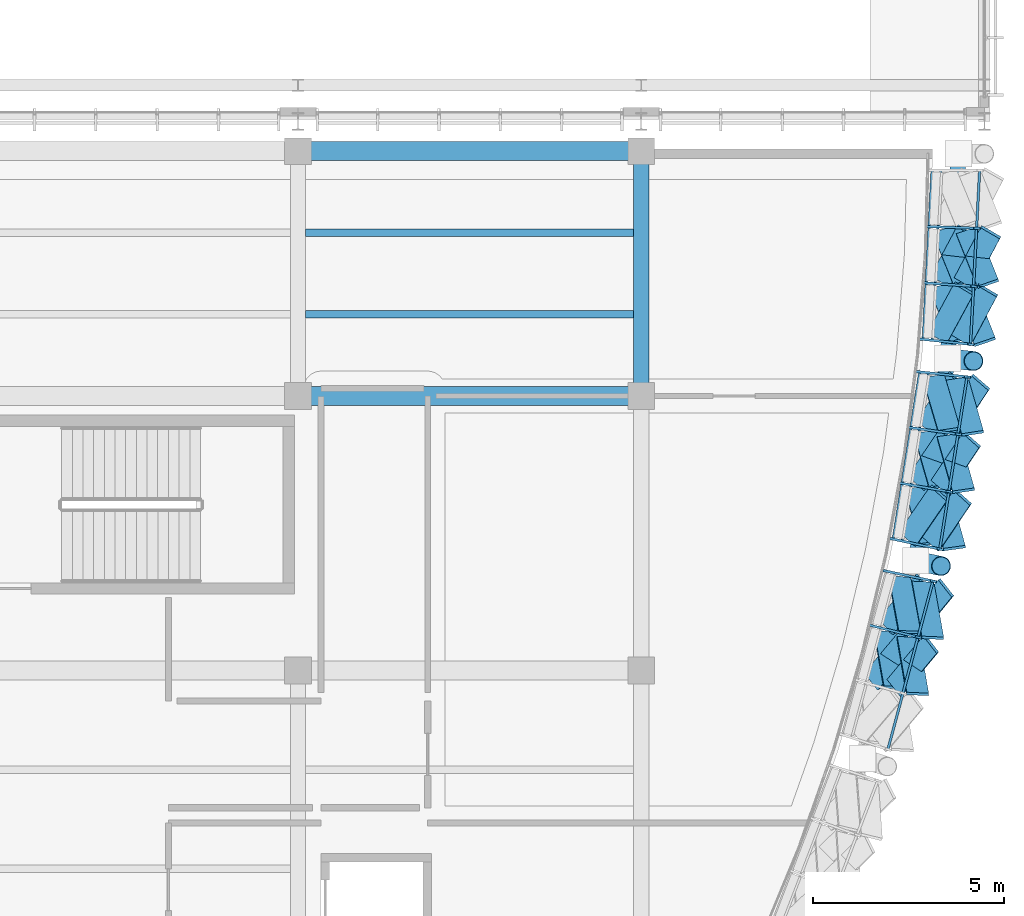
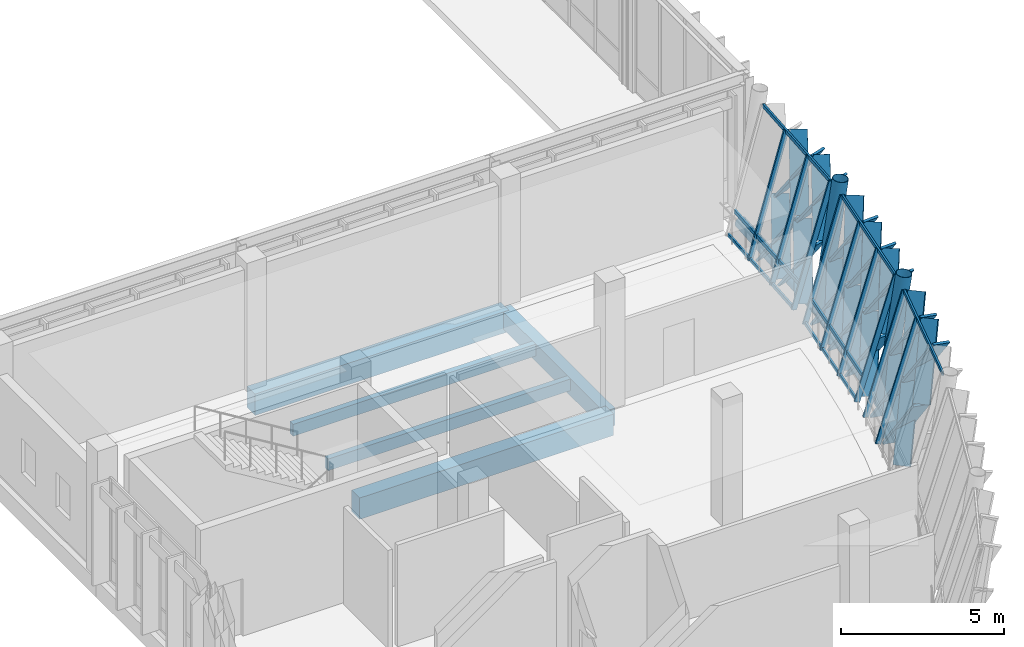
# One storey, part 98 of 177: 46 members, 7 beams, 3 elements without a shape of their own.
"""IFC4 building model written with IfcOpenShell, lengths in metres."""

from ifc_helpers import new_model, si_unit, direction, frame, origin, origin_2d, place, context, subcontext, project, spatial, rectangle, hollow_rectangle, hollow_circle, extrude, material, material_profile, profile_set, type_object, element, aggregate, save


model = new_model("IFC4")

# Units and contexts
model_context = context("Model", 3, precision=1e-05, world=origin(), true_north=direction((0.0, 1.0)))
body_context = subcontext(model_context, "Body", "Model", "MODEL_VIEW")
ifc_project = project(units=[si_unit("LENGTHUNIT", "METRE"), si_unit("AREAUNIT", "SQUARE_METRE"), si_unit("VOLUMEUNIT", "CUBIC_METRE"), si_unit("PLANEANGLEUNIT", "RADIAN"), si_unit("MASSUNIT", "GRAM", prefix="KILO")], contexts=[model_context])

# Site, building, storey
site_placement = place(None, origin())
site = spatial("IfcSite", under=ifc_project, at=site_placement, CompositionType="ELEMENT")
building_placement = place(site_placement, origin())
building = spatial("IfcBuilding", under=site, at=building_placement, Name="Chiffa Square Polytechnic", CompositionType="ELEMENT")
storey_placement = place(building_placement, frame((0.0, 0.0, 4.800048828125)))
storey = spatial("IfcBuildingStorey", under=building, at=storey_placement, Name="L01", CompositionType="ELEMENT", Elevation=4.800048828125)

# Beams
ifc_material_1 = material(Name="Concrete C35/45", Category="concrete")
ifc_material_profile_1 = material_profile(ifc_material_1, rectangle(XDim=0.39990234375, YDim=0.64990234375, at=origin_2d()), Name="RC 400x650")
ifc_profile_set_1 = profile_set([ifc_material_profile_1], Name="Concrete C35/45")
beam_type_1 = type_object("IfcBeamType", Name="BM-RC-400X650", PredefinedType="BEAM", material=ifc_profile_set_1)
beam_1_placement = place(storey_placement, frame((166.199951171875, 51.0, -0.60498046875), z_axis=(0.0, 1.0, 0.0), x_axis=(-1.0, 0.0, 0.0)))
element("IfcBeam", 1, at=beam_1_placement, inside=storey, type_object=beam_type_1, Name="Primary floor girder BM-V1-L01-Y-1662-0510", PredefinedType="BEAM", context=body_context, shape_type="SweptSolid", body=[
    extrude(rectangle(XDim=0.39990234375, YDim=0.64990234375, at=origin_2d()), origin(), (0.0, 0.0, 1.0), 6.419921875),
])
ifc_material_2 = material(Name="Concrete C40/50", Category="concrete")
ifc_material_profile_2 = material_profile(ifc_material_2, rectangle(XDim=0.5, YDim=0.800048828125, at=origin_2d()), Name="RC 500x800")
ifc_profile_set_2 = profile_set([ifc_material_profile_2], Name="Concrete C40/50")
beam_type_2 = type_object("IfcBeamType", Name="BM-RC-500X800", PredefinedType="BEAM", material=ifc_profile_set_2)
for number, where, z_axis, x_axis, name in (
    (2, (157.199951171875, 51.0, -0.679931640625), (1.0, 0.0, 0.0), (0.0, 1.0, 0.0), "Primary floor girder BM-V1-L01-X-1572-0510"),
    (3, (157.199951171875, 57.419921875, -0.679931640625), (1.0, 0.0, 0.0), (0.0, 1.0, 0.0), "Primary floor girder BM-V1-L01-X-1572-0574"),
):
    element("IfcBeam", number, at=place(storey_placement, frame(where, z_axis=z_axis, x_axis=x_axis)), inside=storey, type_object=beam_type_2, Name=name, PredefinedType="BEAM", context=body_context, shape_type="SweptSolid", body=[
        extrude(rectangle(XDim=0.5, YDim=0.800048828125, at=origin_2d()), origin(), (0.0, 0.0, 1.0), 9.0),
    ])
ifc_material_3 = material(Name="Steel S355", Category="steel")
ifc_material_profile_3 = material_profile(ifc_material_3, hollow_circle(Radius=0.203125, WallThickness=0.012451171875, at=origin_2d()), Name="CHS 406.4x12.5")
ifc_profile_set_3 = profile_set([ifc_material_profile_3], Name="Steel S355")
beam_type_3 = type_object("IfcBeamType", Name="BM-STL-CHS406", PredefinedType="BEAM", material=ifc_profile_set_3)
beam_2_placement = place(storey_placement, frame((173.39892578125, 46.679931640625, 0.0), z_axis=(0.156552942975, 0.987669568249, 0.0), x_axis=(-0.987669568249, 0.156552942975, 0.0)))
element("IfcBeam", 4, at=beam_2_placement, inside=storey, type_object=beam_type_3, Name="Prow V-column ring tie BM-V1-VRING-L01-16", PredefinedType="BEAM", context=body_context, shape_type="SweptSolid", body=[
    extrude(hollow_circle(Radius=0.203125, WallThickness=0.012451171875, at=origin_2d()), origin(), (0.0, 0.0, 1.0), 5.372314453125),
])
beam_3_placement = place(storey_placement, frame((174.239990234375, 51.986083984375, 0.0), z_axis=(0.052315498988, 0.998630606664, 0.0), x_axis=(-0.998630606664, 0.052315498988, 0.0)))
element("IfcBeam", 5, at=beam_3_placement, inside=storey, type_object=beam_type_3, Name="Prow V-column ring tie BM-V1-VRING-L01-17", PredefinedType="BEAM", context=body_context, shape_type="SweptSolid", body=[
    extrude(hollow_circle(Radius=0.203125, WallThickness=0.012451171875, at=origin_2d()), origin(), (0.0, 0.0, 1.0), 5.371337890625),
])

# Members
ifc_material_profile_4 = material_profile(ifc_material_3, hollow_circle(Radius=0.25390625, WallThickness=0.01611328125, at=origin_2d()), Name="CHS 508x16")
ifc_profile_set_4 = profile_set([ifc_material_profile_4], Name="Steel S355")
member_type_1 = type_object("IfcMemberType", Name="COL-VSTRUT-508", PredefinedType="STRUT", material=ifc_profile_set_4)
for number, where, z_axis, x_axis, name in (
    (6, (173.39892578125, 46.679931640625, 0.0), (0.137179524992, -0.029057483818, 0.990119912211), (0.207223011248, 0.978293730742, 0.0), "Prow steel V-strut CV-V1-L01-08R"),
    (7, (174.239990234375, 51.986083984375, 0.0), (0.139248364588, -0.014655072006, 0.990149040208), (0.104666061577, 0.994507423579, 0.0), "Prow steel V-strut CV-V1-L01-09L"),
):
    element("IfcMember", number, at=place(storey_placement, frame(where, z_axis=z_axis, x_axis=x_axis)), inside=storey, type_object=member_type_1, Name=name, PredefinedType="STRUT", context=body_context, shape_type="SweptSolid", body=[
        extrude(hollow_circle(Radius=0.25390625, WallThickness=0.01611328125, at=origin_2d()), origin(), (0.0, 0.0, 1.0), 4.847900390625),
    ])

# Curtain wall, members
ifc_material_4 = material(Name="Aluminium EN AW-6060 T66 and glulam shading", Category="wood")
curtain_wall_type_1 = type_object("IfcCurtainWallType", Name="CW-PROW-LEAN-150", PredefinedType="USERDEFINED", material=ifc_material_4)
curtain_wall_1_placement = place(storey_placement, origin())
curtain_wall_1 = element("IfcCurtainWall", 8, at=curtain_wall_1_placement, inside=storey, type_object=curtain_wall_type_1, Name="Outward-leaning diamond-fin prow curtain wall CW-V1-L01-024", ObjectType="CURTAIN WALL", PredefinedType="USERDEFINED")
ifc_material_5 = material(Name="Aluminium EN AW-6060 T66", Category="aluminium")
ifc_material_profile_5 = material_profile(ifc_material_5, hollow_rectangle(XDim=0.06494140625, YDim=0.179931640625, WallThickness=0.00390625, at=origin_2d()), Name="ALU 65x180x4")
ifc_profile_set_5 = profile_set([ifc_material_profile_5], Name="Aluminium EN AW-6060 T66")
member_type_2 = type_object("IfcMemberType", Name="CWM-ALU-75X180", PredefinedType="MULLION", material=ifc_profile_set_5)
member_1_placement = place(storey_placement, frame((172.24072265625, 44.97607421875, 0.0), z_axis=(0.263884947218, -0.06591879544, 0.962299042418), x_axis=(0.242354158557, 0.970187848734, 0.0)))
member_1 = element("IfcMember", 9, at=member_1_placement, type_object=member_type_2, Name="Leaning prow mullion CW-V1-L01-024-M02", PredefinedType="MULLION", context=body_context, shape_type="SweptSolid", body=[
    extrude(hollow_rectangle(XDim=0.06494140625, YDim=0.179931640625, WallThickness=0.00390625, at=origin_2d()), origin(), (0.0, 0.0, 1.0), 4.655517578125),
])
member_2_placement = place(storey_placement, frame((172.6240234375, 46.406005859375, 0.0), z_axis=(0.266326354082, -0.056684148211, 0.962214726796), x_axis=(0.208174282331, 0.978091748343, 0.0)))
member_2 = element("IfcMember", 10, at=member_2_placement, type_object=member_type_2, Name="Leaning prow mullion CW-V1-L01-024-M03", PredefinedType="MULLION", context=body_context, shape_type="SweptSolid", body=[
    extrude(hollow_rectangle(XDim=0.06494140625, YDim=0.179931640625, WallThickness=0.00390625, at=origin_2d()), origin(), (0.0, 0.0, 1.0), 4.656005859375),
])

curtain_wall_type_2 = type_object("IfcCurtainWallType", Name="CW-PROW-LEAN-300", PredefinedType="USERDEFINED", material=ifc_material_4)
curtain_wall_2_placement = place(storey_placement, origin())
curtain_wall_2 = element("IfcCurtainWall", 11, at=curtain_wall_2_placement, inside=storey, type_object=curtain_wall_type_2, Name="Outward-leaning diamond-fin prow curtain wall CW-V1-L01-025", ObjectType="CURTAIN WALL", PredefinedType="USERDEFINED")
member_3_placement = place(storey_placement, frame((172.802001953125, 47.24609375, 0.0), z_axis=(0.266325562108, -0.056736416263, 0.962211865463), x_axis=(0.208358501343, 0.978052521554, 0.0)))
member_3 = element("IfcMember", 12, at=member_3_placement, type_object=member_type_2, Name="Leaning prow mullion CW-V1-L01-025-M00", PredefinedType="MULLION", context=body_context, shape_type="SweptSolid", body=[
    extrude(hollow_rectangle(XDim=0.06494140625, YDim=0.179931640625, WallThickness=0.00390625, at=origin_2d()), origin(), (0.0, 0.0, 1.0), 4.656005859375),
])
member_4_placement = place(storey_placement, frame((173.03369140625, 48.707763671875, 0.0), z_axis=(0.267869609883, -0.047249514194, 0.962295877321), x_axis=(0.173708344749, 0.984797142037, 0.0)))
member_4 = element("IfcMember", 13, at=member_4_placement, type_object=member_type_2, Name="Leaning prow mullion CW-V1-L01-025-M01", PredefinedType="MULLION", context=body_context, shape_type="SweptSolid", body=[
    extrude(hollow_rectangle(XDim=0.06494140625, YDim=0.179931640625, WallThickness=0.00390625, at=origin_2d()), origin(), (0.0, 0.0, 1.0), 4.655517578125),
])
member_5_placement = place(storey_placement, frame((173.265380859375, 50.169189453125, 0.0), z_axis=(0.26934039613, -0.037757999457, 0.962304569505), x_axis=(0.138829389726, 0.990316313381, 0.0)))
member_5 = element("IfcMember", 14, at=member_5_placement, type_object=member_type_2, Name="Leaning prow mullion CW-V1-L01-025-M02", PredefinedType="MULLION", context=body_context, shape_type="SweptSolid", body=[
    extrude(hollow_rectangle(XDim=0.06494140625, YDim=0.179931640625, WallThickness=0.00390625, at=origin_2d()), origin(), (0.0, 0.0, 1.0), 4.655517578125),
])
member_6_placement = place(storey_placement, frame((173.4970703125, 51.631103515625, 0.0), z_axis=(0.270834015849, -0.028368093432, 0.96220797499), x_axis=(0.104173570275, 0.994559132106, 0.0)))
member_6 = element("IfcMember", 15, at=member_6_placement, type_object=member_type_2, Name="Leaning prow mullion CW-V1-L01-025-M03", PredefinedType="MULLION", context=body_context, shape_type="SweptSolid", body=[
    extrude(hollow_rectangle(XDim=0.06494140625, YDim=0.179931640625, WallThickness=0.00390625, at=origin_2d()), origin(), (0.0, 0.0, 1.0), 4.656005859375),
])

curtain_wall_3_placement = place(storey_placement, origin())
curtain_wall_3 = element("IfcCurtainWall", 16, at=curtain_wall_3_placement, inside=storey, type_object=curtain_wall_type_1, Name="Outward-leaning diamond-fin prow curtain wall CW-V1-L01-026", ObjectType="CURTAIN WALL", PredefinedType="USERDEFINED")
member_7_placement = place(storey_placement, frame((173.5869140625, 52.485107421875, 0.0), z_axis=(0.270639638746, -0.02836970443, 0.962262617901), x_axis=(0.104253432135, 0.994550763857, 0.0)))
member_7 = element("IfcMember", 17, at=member_7_placement, type_object=member_type_2, Name="Leaning prow mullion CW-V1-L01-026-M00", PredefinedType="MULLION", context=body_context, shape_type="SweptSolid", body=[
    extrude(hollow_rectangle(XDim=0.06494140625, YDim=0.179931640625, WallThickness=0.00390625, at=origin_2d()), origin(), (0.0, 0.0, 1.0), 4.65576171875),
])
member_8_placement = place(storey_placement, frame((173.664306640625, 53.963623046875, 0.0), z_axis=(0.271234902146, -0.018879459546, 0.96232800742), x_axis=(0.069437561454, 0.997586299555, 0.0)))
member_8 = element("IfcMember", 18, at=member_8_placement, type_object=member_type_2, Name="Leaning prow mullion CW-V1-L01-026-M01", PredefinedType="MULLION", context=body_context, shape_type="SweptSolid", body=[
    extrude(hollow_rectangle(XDim=0.06494140625, YDim=0.179931640625, WallThickness=0.00390625, at=origin_2d()), origin(), (0.0, 0.0, 1.0), 4.6552734375),
])
member_9_placement = place(storey_placement, frame((173.74169921875, 55.4423828125, 0.0), z_axis=(0.27180539587, -0.009491949962, 0.962305424313), x_axis=(0.034900585146, 0.999390789009, 0.0)))
member_9 = element("IfcMember", 19, at=member_9_placement, type_object=member_type_2, Name="Leaning prow mullion CW-V1-L01-026-M02", PredefinedType="MULLION", context=body_context, shape_type="SweptSolid", body=[
    extrude(hollow_rectangle(XDim=0.06494140625, YDim=0.179931640625, WallThickness=0.00390625, at=origin_2d()), origin(), (0.0, 0.0, 1.0), 4.655517578125),
])

# Member
ifc_material_6 = material(Name="Glulam GL28h", Category="wood")
ifc_material_profile_6 = material_profile(ifc_material_6, rectangle(XDim=0.080078125, YDim=0.580078125, at=origin_2d()), Name="GL28h 80x580")
ifc_profile_set_6 = profile_set([ifc_material_profile_6], Name="Glulam GL28h")
member_type_3 = type_object("IfcMemberType", Name="CWM-GL-80X580", PredefinedType="MULLION", material=ifc_profile_set_6)
member_10_placement = place(storey_placement, frame((172.251953125, 43.52490234375, 0.0400390625), z_axis=(0.357140797473, 0.424098924747, 0.832220254986), x_axis=(-0.715773508432, -0.448164440486, 0.535552909535)))
member_10 = element("IfcMember", 20, at=member_10_placement, type_object=member_type_3, Name="Diamond glulam fin CW-V1-L01-024-DF03A", PredefinedType="MULLION", context=body_context, shape_type="SweptSolid", body=[
    extrude(rectangle(XDim=0.080078125, YDim=0.580078125, at=origin_2d()), origin(), (0.0, 0.0, 1.0), 2.6435546875),
])

member_11_placement = place(storey_placement, frame((172.593017578125, 44.798095703125, 0.0400390625), z_axis=(0.097227738831, -0.54615581689, 0.83202198918), x_axis=(0.113956194732, 0.836593812866, 0.535840254139)))
member_11 = element("IfcMember", 21, at=member_11_placement, type_object=member_type_3, Name="Diamond glulam fin CW-V1-L01-024-DF03B", PredefinedType="MULLION", context=body_context, shape_type="SweptSolid", body=[
    extrude(rectangle(XDim=0.080078125, YDim=0.580078125, at=origin_2d()), origin(), (0.0, 0.0, 1.0), 2.64404296875),
])

member_12_placement = place(storey_placement, frame((172.85009765625, 43.35400390625, 2.239990234375), z_axis=(0.35766606022, 0.429622545708, 0.829155870501), x_axis=(-0.711337940274, -0.449923726099, 0.539969420819)))
member_12 = element("IfcMember", 22, at=member_12_placement, type_object=member_type_3, Name="Diamond glulam fin CW-V1-L01-024-DF04A", PredefinedType="MULLION", context=body_context, shape_type="SweptSolid", body=[
    extrude(rectangle(XDim=0.080078125, YDim=0.580078125, at=origin_2d()), origin(), (0.0, 0.0, 1.0), 2.6533203125),
])

member_13_placement = place(storey_placement, frame((173.196044921875, 44.64599609375, 2.239990234375), z_axis=(0.0949553164, -0.550961661436, 0.829110810154), x_axis=(0.119040185192, 0.833182298328, 0.540033973063)))
member_13 = element("IfcMember", 23, at=member_13_placement, type_object=member_type_3, Name="Diamond glulam fin CW-V1-L01-024-DF04B", PredefinedType="MULLION", context=body_context, shape_type="SweptSolid", body=[
    extrude(rectangle(XDim=0.080078125, YDim=0.580078125, at=origin_2d()), origin(), (0.0, 0.0, 1.0), 2.6533203125),
])

member_14_placement = place(storey_placement, frame((172.635009765625, 44.955078125, 0.0400390625), z_axis=(0.357873746799, 0.430165899198, 0.828784459627), x_axis=(-0.710957269952, -0.449886938082, 0.540501159338)))
member_14 = element("IfcMember", 24, at=member_14_placement, type_object=member_type_3, Name="Diamond glulam fin CW-V1-L01-024-DF05A", PredefinedType="MULLION", context=body_context, shape_type="SweptSolid", body=[
    extrude(rectangle(XDim=0.080078125, YDim=0.580078125, at=origin_2d()), origin(), (0.0, 0.0, 1.0), 2.654541015625),
])

member_15_placement = place(storey_placement, frame((172.97607421875, 46.22802734375, 0.0400390625), z_axis=(0.099852734585, -0.540428588577, 0.835443817407), x_axis=(0.107891155994, 0.840570215495, 0.53084951849)))
member_15 = element("IfcMember", 25, at=member_15_placement, type_object=member_type_3, Name="Diamond glulam fin CW-V1-L01-024-DF05B", PredefinedType="MULLION", context=body_context, shape_type="SweptSolid", body=[
    extrude(rectangle(XDim=0.080078125, YDim=0.580078125, at=origin_2d()), origin(), (0.0, 0.0, 1.0), 2.63330078125),
])

member_16_placement = place(storey_placement, frame((173.239013671875, 44.804931640625, 2.239990234375), z_axis=(0.358110196416, 0.435816810172, 0.825724406321), x_axis=(-0.706330102631, -0.451920951667, 0.544853411077)))
member_16 = element("IfcMember", 26, at=member_16_placement, type_object=member_type_3, Name="Diamond glulam fin CW-V1-L01-024-DF06A", PredefinedType="MULLION", context=body_context, shape_type="SweptSolid", body=[
    extrude(rectangle(XDim=0.080078125, YDim=0.580078125, at=origin_2d()), origin(), (0.0, 0.0, 1.0), 2.664306640625),
])

member_17_placement = place(storey_placement, frame((173.5849609375, 46.096923828125, 2.239990234375), z_axis=(0.097291471376, -0.545312691417, 0.83256737756), x_axis=(0.113545712496, 0.837155676473, 0.535049291675)))
member_17 = element("IfcMember", 27, at=member_17_placement, type_object=member_type_3, Name="Diamond glulam fin CW-V1-L01-024-DF06B", PredefinedType="MULLION", context=body_context, shape_type="SweptSolid", body=[
    extrude(rectangle(XDim=0.080078125, YDim=0.580078125, at=origin_2d()), origin(), (0.0, 0.0, 1.0), 2.642333984375),
])

member_18_placement = place(storey_placement, frame((173.196044921875, 47.264892578125, 0.0400390625), z_axis=(0.311021040866, 0.452807317397, 0.835602444617), x_axis=(-0.596221151885, -0.591723403003, 0.542571426066)))
member_18 = element("IfcMember", 28, at=member_18_placement, type_object=member_type_3, Name="Diamond glulam fin CW-V1-L01-025-DF01A", PredefinedType="MULLION", context=body_context, shape_type="SweptSolid", body=[
    extrude(rectangle(XDim=0.080078125, YDim=0.580078125, at=origin_2d()), origin(), (0.0, 0.0, 1.0), 2.6328125),
])

member_19_placement = place(storey_placement, frame((173.402099609375, 48.56689453125, 0.0400390625), z_axis=(0.151750158828, -0.538667078944, 0.828739806789), x_axis=(-0.071380512834, 0.830288385271, 0.552744081535)))
member_19 = element("IfcMember", 29, at=member_19_placement, type_object=member_type_3, Name="Diamond glulam fin CW-V1-L01-025-DF01B", PredefinedType="MULLION", context=body_context, shape_type="SweptSolid", body=[
    extrude(rectangle(XDim=0.080078125, YDim=0.580078125, at=origin_2d()), origin(), (0.0, 0.0, 1.0), 2.654541015625),
])

member_20_placement = place(storey_placement, frame((173.804931640625, 47.136962890625, 2.239990234375), z_axis=(0.311097958788, 0.458285083335, 0.832582033454), x_axis=(-0.591291233579, -0.592516350055, 0.54708230826)))
member_20 = element("IfcMember", 30, at=member_20_placement, type_object=member_type_3, Name="Diamond glulam fin CW-V1-L01-025-DF02A", PredefinedType="MULLION", context=body_context, shape_type="SweptSolid", body=[
    extrude(rectangle(XDim=0.080078125, YDim=0.580078125, at=origin_2d()), origin(), (0.0, 0.0, 1.0), 2.642333984375),
])

member_21_placement = place(storey_placement, frame((174.014892578125, 48.45703125, 2.239990234375), z_axis=(0.149820054774, -0.543842217175, 0.825705512883), x_axis=(-0.065783450326, 0.827797858526, 0.557156390149)))
member_21 = element("IfcMember", 31, at=member_21_placement, type_object=member_type_3, Name="Diamond glulam fin CW-V1-L01-025-DF02B", PredefinedType="MULLION", context=body_context, shape_type="SweptSolid", body=[
    extrude(rectangle(XDim=0.080078125, YDim=0.580078125, at=origin_2d()), origin(), (0.0, 0.0, 1.0), 2.664306640625),
])

member_22_placement = place(storey_placement, frame((173.427978515625, 48.72705078125, 0.0400390625), z_axis=(0.310939811426, 0.459160303656, 0.832158788464), x_axis=(-0.590391420428, -0.592833507896, 0.547710144694)))
member_22 = element("IfcMember", 32, at=member_22_placement, type_object=member_type_3, Name="Diamond glulam fin CW-V1-L01-025-DF03A", PredefinedType="MULLION", context=body_context, shape_type="SweptSolid", body=[
    extrude(rectangle(XDim=0.080078125, YDim=0.580078125, at=origin_2d()), origin(), (0.0, 0.0, 1.0), 2.6435546875),
])

member_23_placement = place(storey_placement, frame((173.634033203125, 50.029052734375, 0.0400390625), z_axis=(0.153598765312, -0.532654287164, 0.832278096348), x_axis=(-0.07745444079, 0.833191531303, 0.54753327001)))
member_23 = element("IfcMember", 33, at=member_23_placement, type_object=member_type_3, Name="Diamond glulam fin CW-V1-L01-025-DF03B", PredefinedType="MULLION", context=body_context, shape_type="SweptSolid", body=[
    extrude(rectangle(XDim=0.080078125, YDim=0.580078125, at=origin_2d()), origin(), (0.0, 0.0, 1.0), 2.643310546875),
])

member_24_placement = place(storey_placement, frame((174.0400390625, 48.62109375, 2.239990234375), z_axis=(0.310959566292, 0.464368739718, 0.82925618581), x_axis=(-0.585707690027, -0.593511318284, 0.551988058668)))
member_24 = element("IfcMember", 34, at=member_24_placement, type_object=member_type_3, Name="Diamond glulam fin CW-V1-L01-025-DF04A", PredefinedType="MULLION", context=body_context, shape_type="SweptSolid", body=[
    extrude(rectangle(XDim=0.080078125, YDim=0.580078125, at=origin_2d()), origin(), (0.0, 0.0, 1.0), 2.65283203125),
])

member_25_placement = place(storey_placement, frame((174.25, 49.94091796875, 2.239990234375), z_axis=(0.151930262118, -0.53787545856, 0.82922083098), x_axis=(-0.072086039669, 0.83069584428, 0.552039869195)))
member_25 = element("IfcMember", 35, at=member_25_placement, type_object=member_type_3, Name="Diamond glulam fin CW-V1-L01-025-DF04B", PredefinedType="MULLION", context=body_context, shape_type="SweptSolid", body=[
    extrude(rectangle(XDim=0.080078125, YDim=0.580078125, at=origin_2d()), origin(), (0.0, 0.0, 1.0), 2.653076171875),
])

member_26_placement = place(storey_placement, frame((173.659912109375, 50.18896484375, 0.0400390625), z_axis=(0.310816601884, 0.465581199805, 0.828629704018), x_axis=(-0.584522344226, -0.593826232226, 0.55290508681)))
member_26 = element("IfcMember", 36, at=member_26_placement, type_object=member_type_3, Name="Diamond glulam fin CW-V1-L01-025-DF05A", PredefinedType="MULLION", context=body_context, shape_type="SweptSolid", body=[
    extrude(rectangle(XDim=0.080078125, YDim=0.580078125, at=origin_2d()), origin(), (0.0, 0.0, 1.0), 2.655029296875),
])

member_27_placement = place(storey_placement, frame((173.865966796875, 51.490966796875, 0.0400390625), z_axis=(0.155696119082, -0.526807416619, 0.83560317394), x_axis=(-0.083897273172, 0.835810196271, 0.542570330338)))
member_27 = element("IfcMember", 37, at=member_27_placement, type_object=member_type_3, Name="Diamond glulam fin CW-V1-L01-025-DF05B", PredefinedType="MULLION", context=body_context, shape_type="SweptSolid", body=[
    extrude(rectangle(XDim=0.080078125, YDim=0.580078125, at=origin_2d()), origin(), (0.0, 0.0, 1.0), 2.6328125),
])

member_28_placement = place(storey_placement, frame((174.27587890625, 50.10400390625, 2.239990234375), z_axis=(0.310783054425, 0.4709389445, 0.825609110679), x_axis=(-0.579710697438, -0.594438364751, 0.557295736381)))
member_28 = element("IfcMember", 38, at=member_28_placement, type_object=member_type_3, Name="Diamond glulam fin CW-V1-L01-025-DF06A", PredefinedType="MULLION", context=body_context, shape_type="SweptSolid", body=[
    extrude(rectangle(XDim=0.080078125, YDim=0.580078125, at=origin_2d()), origin(), (0.0, 0.0, 1.0), 2.66455078125),
])

member_29_placement = place(storey_placement, frame((174.485107421875, 51.425048828125, 2.239990234375), z_axis=(0.154020050036, -0.532094462003, 0.832558290868), x_axis=(-0.0783735153, 0.833378649135, 0.547117555252)))
member_29 = element("IfcMember", 39, at=member_29_placement, type_object=member_type_3, Name="Diamond glulam fin CW-V1-L01-025-DF06B", PredefinedType="MULLION", context=body_context, shape_type="SweptSolid", body=[
    extrude(rectangle(XDim=0.080078125, YDim=0.580078125, at=origin_2d()), origin(), (0.0, 0.0, 1.0), 2.642333984375),
])

member_30_placement = place(storey_placement, frame((173.97705078125, 52.5458984375, 0.0400390625), z_axis=(0.261659598961, 0.483170861158, 0.835511922835), x_axis=(-0.443347745804, -0.708766480366, 0.548719283969)))
member_30 = element("IfcMember", 40, at=member_30_placement, type_object=member_type_3, Name="Diamond glulam fin CW-V1-L01-026-DF01A", PredefinedType="MULLION", context=body_context, shape_type="SweptSolid", body=[
    extrude(rectangle(XDim=0.080078125, YDim=0.580078125, at=origin_2d()), origin(), (0.0, 0.0, 1.0), 2.633056640625),
])

member_31_placement = place(storey_placement, frame((174.0458984375, 53.862060546875, 0.0400390625), z_axis=(0.207203151673, -0.519893216336, 0.828720639024), x_axis=(-0.257778741394, 0.788153506466, 0.558895491778)))
member_31 = element("IfcMember", 41, at=member_31_placement, type_object=member_type_3, Name="Diamond glulam fin CW-V1-L01-026-DF01B", PredefinedType="MULLION", context=body_context, shape_type="SweptSolid", body=[
    extrude(rectangle(XDim=0.080078125, YDim=0.580078125, at=origin_2d()), origin(), (0.0, 0.0, 1.0), 2.654541015625),
])

member_32_placement = place(storey_placement, frame((174.595947265625, 52.48193359375, 2.239990234375), z_axis=(0.261099439651, 0.488568236686, 0.832543188498), x_axis=(-0.438024905222, -0.70859218253, 0.553200959203)))
member_32 = element("IfcMember", 42, at=member_32_placement, type_object=member_type_3, Name="Diamond glulam fin CW-V1-L01-026-DF02A", PredefinedType="MULLION", context=body_context, shape_type="SweptSolid", body=[
    extrude(rectangle(XDim=0.080078125, YDim=0.580078125, at=origin_2d()), origin(), (0.0, 0.0, 1.0), 2.642333984375),
])

member_33_placement = place(storey_placement, frame((174.666015625, 53.818115234375, 2.239990234375), z_axis=(0.206038836937, -0.525403614865, 0.825529550749), x_axis=(-0.252251794896, 0.786600573307, 0.563585459398)))
member_33 = element("IfcMember", 43, at=member_33_placement, type_object=member_type_3, Name="Diamond glulam fin CW-V1-L01-026-DF02B", PredefinedType="MULLION", context=body_context, shape_type="SweptSolid", body=[
    extrude(rectangle(XDim=0.080078125, YDim=0.580078125, at=origin_2d()), origin(), (0.0, 0.0, 1.0), 2.664794921875),
])

member_34_placement = place(storey_placement, frame((174.053955078125, 54.02490234375, 0.0400390625), z_axis=(0.260993340453, 0.48920089327, 0.83220487998), x_axis=(-0.437365104582, -0.708603420969, 0.553708368263)))
member_34 = element("IfcMember", 44, at=member_34_placement, type_object=member_type_3, Name="Diamond glulam fin CW-V1-L01-026-DF03A", PredefinedType="MULLION", context=body_context, shape_type="SweptSolid", body=[
    extrude(rectangle(XDim=0.080078125, YDim=0.580078125, at=origin_2d()), origin(), (0.0, 0.0, 1.0), 2.6435546875),
])

member_35_placement = place(storey_placement, frame((174.123046875, 55.341064453125, 0.0400390625), z_axis=(0.208446807933, -0.513774741929, 0.832217184885), x_axis=(-0.263948855511, 0.789783811589, 0.553689924621)))
member_35 = element("IfcMember", 45, at=member_35_placement, type_object=member_type_3, Name="Diamond glulam fin CW-V1-L01-026-DF03B", PredefinedType="MULLION", context=body_context, shape_type="SweptSolid", body=[
    extrude(rectangle(XDim=0.080078125, YDim=0.580078125, at=origin_2d()), origin(), (0.0, 0.0, 1.0), 2.6435546875),
])

member_36_placement = place(storey_placement, frame((174.674072265625, 53.98291015625, 2.239990234375), z_axis=(0.260769823455, 0.494487308132, 0.829144982058), x_axis=(-0.43253058049, -0.707993434294, 0.558267493176)))
member_36 = element("IfcMember", 46, at=member_36_placement, type_object=member_type_3, Name="Diamond glulam fin CW-V1-L01-026-DF04A", PredefinedType="MULLION", context=body_context, shape_type="SweptSolid", body=[
    extrude(rectangle(XDim=0.080078125, YDim=0.580078125, at=origin_2d()), origin(), (0.0, 0.0, 1.0), 2.6533203125),
])

member_37_placement = place(storey_placement, frame((174.743896484375, 55.318115234375, 2.239990234375), z_axis=(0.207674232958, -0.519047562303, 0.829132704115), x_axis=(-0.258989699972, 0.788188706402, 0.558285678133)))
member_37 = element("IfcMember", 47, at=member_37_placement, type_object=member_type_3, Name="Diamond glulam fin CW-V1-L01-026-DF04B", PredefinedType="MULLION", context=body_context, shape_type="SweptSolid", body=[
    extrude(rectangle(XDim=0.080078125, YDim=0.580078125, at=origin_2d()), origin(), (0.0, 0.0, 1.0), 2.6533203125),
])

ifc_material_profile_7 = material_profile(ifc_material_5, hollow_rectangle(XDim=0.06494140625, YDim=0.139892578125, WallThickness=0.00390625, at=origin_2d()), Name="ALU 65x140x4")
ifc_profile_set_7 = profile_set([ifc_material_profile_7], Name="Aluminium EN AW-6060 T66")
member_type_4 = type_object("IfcMemberType", Name="CWT-ALU-75X140", PredefinedType="USERDEFINED", material=ifc_profile_set_7)
member_38_placement = place(storey_placement, frame((172.669189453125, 41.7275390625, 4.43994140625), z_axis=(0.258845505059, 0.965918735977, 0.0), x_axis=(-0.965918735977, 0.258845505059, 0.0)))
member_38 = element("IfcMember", 48, at=member_38_placement, type_object=member_type_4, Name="Leaning prow transom CW-V1-L01-024-T03", ObjectType="TRANSOM", PredefinedType="USERDEFINED", context=body_context, shape_type="SweptSolid", body=[
    extrude(hollow_rectangle(XDim=0.06494140625, YDim=0.139892578125, WallThickness=0.00390625, at=origin_2d()), origin(), (0.0, 0.0, 1.0), 4.572509765625),
])

aggregate(curtain_wall_1, [member_1, member_2, member_38, member_10, member_11, member_12, member_13, member_14, member_15, member_16, member_17])

member_39_placement = place(storey_placement, frame((172.81298828125, 47.24365234375, 0.0400390625), z_axis=(0.156566666747, 0.987667392832, 0.0), x_axis=(-0.987667392832, 0.156566666747, 0.0)))
member_39 = element("IfcMember", 49, at=member_39_placement, type_object=member_type_4, Name="Leaning prow transom CW-V1-L01-025-T01", ObjectType="TRANSOM", PredefinedType="USERDEFINED", context=body_context, shape_type="SweptSolid", body=[
    extrude(hollow_rectangle(XDim=0.06494140625, YDim=0.139892578125, WallThickness=0.00390625, at=origin_2d()), origin(), (0.0, 0.0, 1.0), 4.44091796875),
])

member_40_placement = place(storey_placement, frame((173.037353515625, 47.19580078125, 0.849853515625), z_axis=(0.156538125436, 0.987671916825, 0.0), x_axis=(-0.987671916825, 0.156538125436, 0.0)))
member_40 = element("IfcMember", 50, at=member_40_placement, type_object=member_type_4, Name="Leaning prow transom CW-V1-L01-025-T02", ObjectType="TRANSOM", PredefinedType="USERDEFINED", context=body_context, shape_type="SweptSolid", body=[
    extrude(hollow_rectangle(XDim=0.06494140625, YDim=0.139892578125, WallThickness=0.00390625, at=origin_2d()), origin(), (0.0, 0.0, 1.0), 4.465087890625),
])

member_41_placement = place(storey_placement, frame((174.031005859375, 46.984375, 4.43994140625), z_axis=(0.156505463553, 0.98767709292, 0.0), x_axis=(-0.98767709292, 0.156505463553, 0.0)))
member_41 = element("IfcMember", 51, at=member_41_placement, type_object=member_type_4, Name="Leaning prow transom CW-V1-L01-025-T03", ObjectType="TRANSOM", PredefinedType="USERDEFINED", context=body_context, shape_type="SweptSolid", body=[
    extrude(hollow_rectangle(XDim=0.06494140625, YDim=0.139892578125, WallThickness=0.00390625, at=origin_2d()), origin(), (0.0, 0.0, 1.0), 4.572265625),
])

aggregate(curtain_wall_2, [member_3, member_4, member_5, member_6, member_39, member_40, member_41, member_18, member_19, member_20, member_21, member_22, member_23, member_24, member_25, member_26, member_27, member_28, member_29])

member_42_placement = place(storey_placement, frame((173.59814453125, 52.48388671875, 0.0400390625), z_axis=(0.052256006887, 0.998633721514, 0.0), x_axis=(-0.998633721514, 0.052256006887, 0.0)))
member_42 = element("IfcMember", 52, at=member_42_placement, type_object=member_type_4, Name="Leaning prow transom CW-V1-L01-026-T01", ObjectType="TRANSOM", PredefinedType="USERDEFINED", context=body_context, shape_type="SweptSolid", body=[
    extrude(hollow_rectangle(XDim=0.06494140625, YDim=0.139892578125, WallThickness=0.00390625, at=origin_2d()), origin(), (0.0, 0.0, 1.0), 4.443115234375),
])

member_43_placement = place(storey_placement, frame((173.826171875, 52.4599609375, 0.849853515625), z_axis=(0.052249025121, 0.998634086828, 0.0), x_axis=(-0.998634086828, 0.052249025121, 0.0)))
member_43 = element("IfcMember", 53, at=member_43_placement, type_object=member_type_4, Name="Leaning prow transom CW-V1-L01-026-T02", ObjectType="TRANSOM", PredefinedType="USERDEFINED", context=body_context, shape_type="SweptSolid", body=[
    extrude(hollow_rectangle(XDim=0.06494140625, YDim=0.139892578125, WallThickness=0.00390625, at=origin_2d()), origin(), (0.0, 0.0, 1.0), 4.467041015625),
])

member_44_placement = place(storey_placement, frame((174.835693359375, 52.354248046875, 4.43994140625), z_axis=(0.052480373294, 0.998621955706, 0.0), x_axis=(-0.998621955706, 0.052480373294, 0.0)))
member_44 = element("IfcMember", 54, at=member_44_placement, type_object=member_type_4, Name="Leaning prow transom CW-V1-L01-026-T03", ObjectType="TRANSOM", PredefinedType="USERDEFINED", context=body_context, shape_type="SweptSolid", body=[
    extrude(hollow_rectangle(XDim=0.06494140625, YDim=0.139892578125, WallThickness=0.00390625, at=origin_2d()), origin(), (0.0, 0.0, 1.0), 4.572998046875),
])

aggregate(curtain_wall_3, [member_7, member_8, member_9, member_42, member_43, member_44, member_30, member_31, member_32, member_33, member_34, member_35, member_36, member_37])

# Beams
ifc_material_profile_8 = material_profile(ifc_material_6, rectangle(XDim=0.199951171875, YDim=0.43994140625, at=origin_2d()), Name="GL28h 200x440")
ifc_profile_set_8 = profile_set([ifc_material_profile_8], Name="Glulam GL28h")
beam_type_4 = type_object("IfcBeamType", Name="JST-GL-200X440", PredefinedType="JOIST", material=ifc_profile_set_8)
for number, where, z_axis, x_axis, name in (
    (55, (157.39794921875, 53.139892578125, -0.5), (1.0, 0.0, 0.0), (0.0, 1.0, 0.0), "Secondary floor joist JST-V1-L01-1572-0531"),
    (56, (157.39794921875, 55.280029296875, -0.5), (1.0, 0.0, 0.0), (0.0, 1.0, 0.0), "Secondary floor joist JST-V1-L01-1572-0553"),
):
    element("IfcBeam", number, at=place(storey_placement, frame(where, z_axis=z_axis, x_axis=x_axis)), inside=storey, type_object=beam_type_4, Name=name, PredefinedType="JOIST", context=body_context, shape_type="SweptSolid", body=[
        extrude(rectangle(XDim=0.199951171875, YDim=0.43994140625, at=origin_2d()), origin(), (0.0, 0.0, 1.0), 8.60400390625),
    ])

save(model, "model.ifc")
